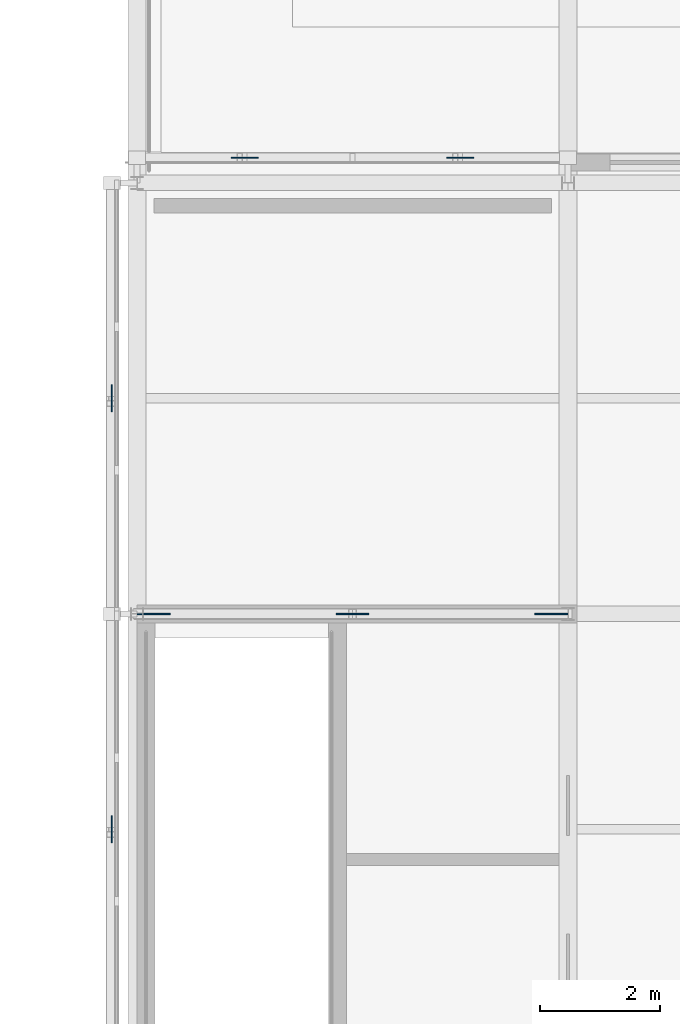
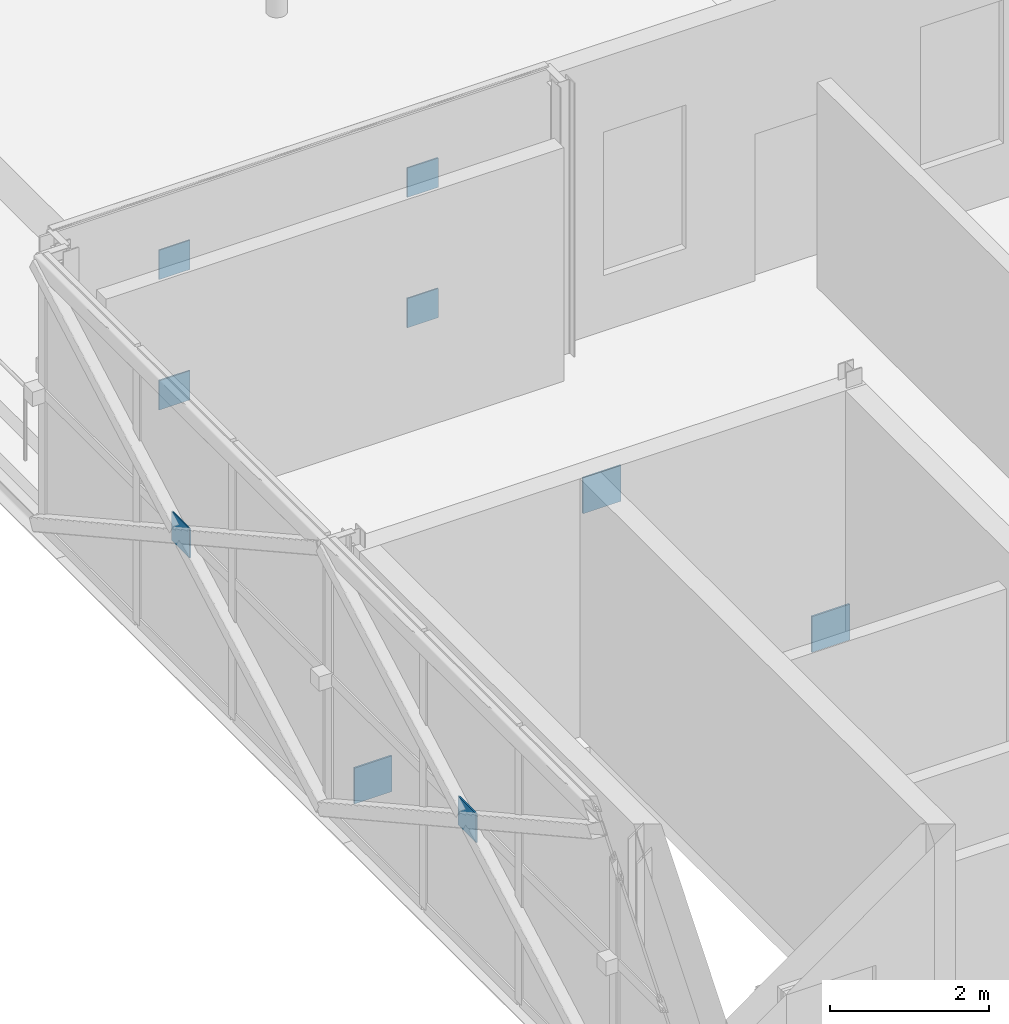
# One storey, part 99 of 126: 9 plates.
"""IFC4 building model written with IfcOpenShell, lengths in metres."""

from ifc_helpers import new_model, si_unit, direction, frame, origin, origin_2d, place, context, subcontext, project, spatial, rectangle, extrude, material, layer, layer_set, type_object, element, save


model = new_model("IFC4")

# Units and contexts
model_context = context("Model", 3, precision=1e-05, world=origin(), true_north=direction((0.0, 1.0)))
body_context = subcontext(model_context, "Body", "Model", "MODEL_VIEW")
ifc_project = project(units=[si_unit("LENGTHUNIT", "METRE"), si_unit("AREAUNIT", "SQUARE_METRE"), si_unit("VOLUMEUNIT", "CUBIC_METRE"), si_unit("PLANEANGLEUNIT", "RADIAN"), si_unit("MASSUNIT", "GRAM", prefix="KILO")], contexts=[model_context])

# Site, building, storey
site_placement = place(None, origin())
site = spatial("IfcSite", under=ifc_project, at=site_placement, CompositionType="ELEMENT")
building_placement = place(site_placement, origin())
building = spatial("IfcBuilding", under=site, at=building_placement, Name="Zlatovets Crest Museum", CompositionType="ELEMENT")
storey_placement = place(building_placement, frame((0.0, 0.0, 8.699951171875)))
storey = spatial("IfcBuildingStorey", under=building, at=storey_placement, Name="L02", CompositionType="ELEMENT", Elevation=8.699951171875)

# Plates
ifc_material = material(Name="Structural steel S355J2", Category="steel")
ifc_layer_1 = layer(ifc_material, 0.02490234375)
ifc_layer_set_1 = layer_set([ifc_layer_1], Name="Structural steel S355J2")
plate_type_1 = type_object("IfcPlateType", Name="Gusset_GP-01", PredefinedType="USERDEFINED", material=ifc_layer_set_1)
for number, where, z_axis, x_axis, name in (
    (1, (129.8798828125, 50.39990234375, 0.0048828125), (0.0, 0.0, 1.0), (1.0, 0.0, 0.0), "V5 L02 Brace End Gusset Plate GP-01"),
    (2, (136.52001953125, 50.39990234375, 0.0048828125), (0.0, 0.0, 1.0), (1.0, 0.0, 0.0), "V5 L02 Brace End Gusset Plate GP-01"),
    (3, (133.199951171875, 50.39990234375, 3.294921875), (0.0, 0.0, 1.0), (1.0, 0.0, 0.0), "V5 L02 Brace End Gusset Plate GP-01"),
):
    element("IfcPlate", number, at=place(storey_placement, frame(where, z_axis=z_axis, x_axis=x_axis)), inside=storey, type_object=plate_type_1, Name=name, ObjectType="GUSSET", PredefinedType="USERDEFINED", context=body_context, shape_type="SweptSolid", body=[
        extrude(rectangle(XDim=0.550048828125, YDim=0.02490234375, at=origin_2d()), origin(), (0.0, 0.0, 1.0), 0.550048828125),
    ])
ifc_layer_2 = layer(ifc_material, 0.02001953125)
ifc_layer_set_2 = layer_set([ifc_layer_2], Name="Structural steel S355J2")
plate_type_2 = type_object("IfcPlateType", Name="Gusset_GP-04", PredefinedType="USERDEFINED", material=ifc_layer_set_2)
for number, where, z_axis, x_axis, name in (
    (4, (135.0, 58.02001953125, 0.875), (0.0, 0.0, 1.0), (1.0, 0.0, 0.0), "X-Brace Crossing Node Gusset Plate GP-04"),
    (5, (131.39990234375, 58.02001953125, 0.875), (0.0, 0.0, 1.0), (1.0, 0.0, 0.0), "X-Brace Crossing Node Gusset Plate GP-04"),
    (6, (135.0, 58.02001953125, 2.875), (0.0, 0.0, 1.0), (1.0, 0.0, 0.0), "X-Brace Crossing Node Gusset Plate GP-04"),
    (7, (131.39990234375, 58.02001953125, 2.875), (0.0, 0.0, 1.0), (1.0, 0.0, 0.0), "X-Brace Crossing Node Gusset Plate GP-04"),
):
    element("IfcPlate", number, at=place(storey_placement, frame(where, z_axis=z_axis, x_axis=x_axis)), inside=storey, type_object=plate_type_2, Name=name, ObjectType="GUSSET", PredefinedType="USERDEFINED", context=body_context, shape_type="SweptSolid", body=[
        extrude(rectangle(XDim=0.449951171875, YDim=0.02001953125, at=origin_2d()), origin(), (0.0, 0.0, 1.0), 0.449951171875),
    ])
for number, where, z_axis, x_axis, name in (
    (8, (129.179931640625, 54.0, 1.875), (0.0, 0.0, 1.0), (1.0, 0.0, 0.0), "X-Brace Crossing Node Gusset Plate GP-04"),
    (9, (129.179931640625, 46.800048828125, 1.875), (0.0, 0.0, 1.0), (1.0, 0.0, 0.0), "X-Brace Crossing Node Gusset Plate GP-04"),
):
    element("IfcPlate", number, at=place(storey_placement, frame(where, z_axis=z_axis, x_axis=x_axis)), inside=storey, type_object=plate_type_2, Name=name, ObjectType="GUSSET", PredefinedType="USERDEFINED", context=body_context, shape_type="SweptSolid", body=[
        extrude(rectangle(XDim=0.02001953125, YDim=0.449951171875, at=origin_2d()), origin(), (0.0, 0.0, 1.0), 0.449951171875),
    ])

save(model, "model.ifc")
